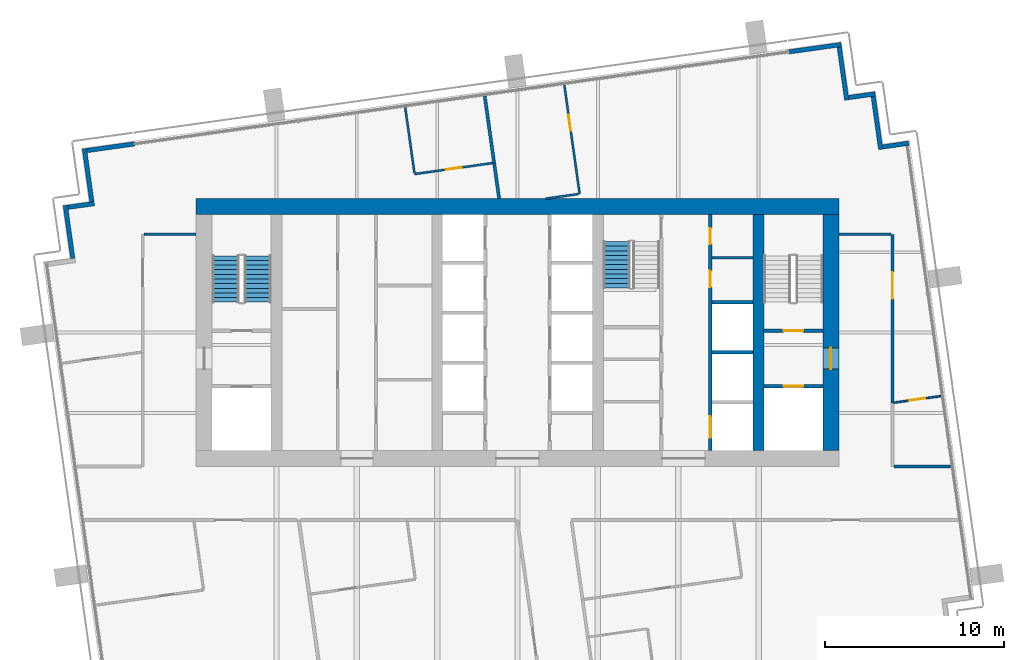
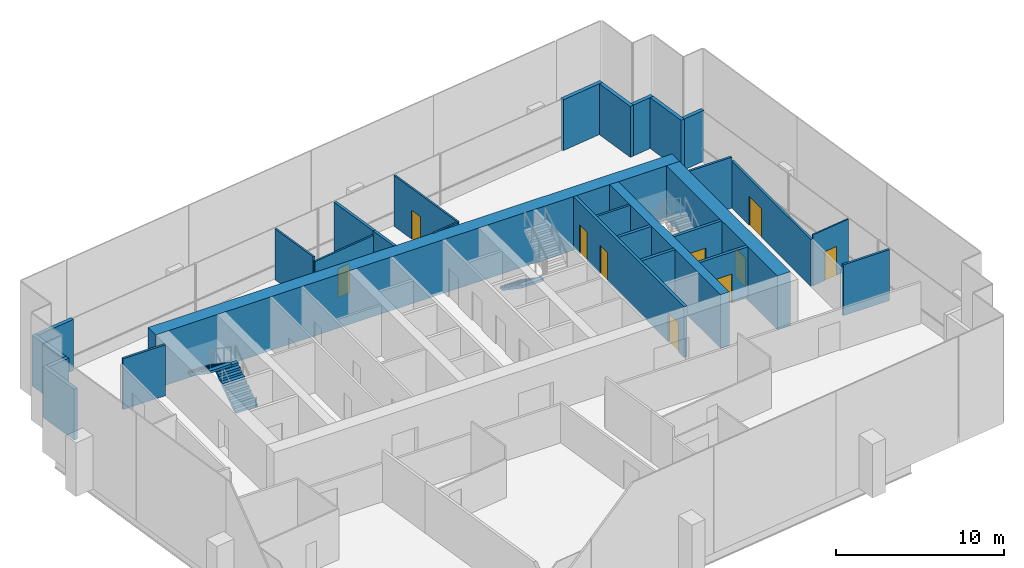
# One storey, part 10 of 15: 29 walls, 10 doors, 3 stair flights, 10 openings, 2 elements without a shape of their own.
"""IFC4 building model written with IfcOpenShell, lengths in metres."""

from ifc_helpers import new_model, si_unit, direction, frame, frame_2d, origin, place, context, subcontext, project, spatial, polyline, rectangle, outline, extrude, material, layer, layer_set, type_object, element, fill, aggregate, save


model = new_model("IFC4")

# Units and contexts
model_context = context("Model", 3, precision=1e-05, world=origin(), true_north=direction((0.0, 1.0)))
body_context = subcontext(model_context, "Body", "Model", "MODEL_VIEW")
ifc_project = project(units=[si_unit("LENGTHUNIT", "METRE"), si_unit("AREAUNIT", "SQUARE_METRE"), si_unit("VOLUMEUNIT", "CUBIC_METRE"), si_unit("PLANEANGLEUNIT", "RADIAN"), si_unit("MASSUNIT", "GRAM", prefix="KILO")], contexts=[model_context])

# Site, building, storey
site_placement = place(None, origin())
site = spatial("IfcSite", under=ifc_project, at=site_placement, CompositionType="ELEMENT")
building_placement = place(site_placement, origin())
building = spatial("IfcBuilding", under=site, at=building_placement, Name="Rattan Terrace Tower", CompositionType="ELEMENT")
storey_placement = place(building_placement, frame((0.0, 0.0, 278.5)))
storey = spatial("IfcBuildingStorey", under=building, at=storey_placement, Name="L64", CompositionType="ELEMENT", Elevation=278.5)

# Wall
ifc_material_1 = material(Name="Gypsum board partition")
ifc_layer_1 = layer(ifc_material_1, 0.14990234375)
ifc_layer_set_1 = layer_set([ifc_layer_1], Name="Core partition 150")
wall_type_1 = type_object("IfcWallType", Name="Core partition 150", PredefinedType="PARTITIONING", material=ifc_layer_set_1)
wall_1_placement = place(storey_placement, frame((10.89990234375, 4.199951171875, 0.0), z_axis=(0.0, 0.0, 1.0), x_axis=(1.0, 0.0, 0.0)))
element("IfcWall", 1, at=wall_1_placement, inside=storey, type_object=wall_type_1, Name="Riser room wall", PredefinedType="PARTITIONING", context=body_context, shape_type="SweptSolid", body=[
    extrude(rectangle(XDim=2.300048828125, YDim=0.14990234375, at=frame_2d((1.14990234375, 0.0))), origin(), (0.0, 0.0, 1.0), 3.699951171875),
])

# Wall, opening, door
ifc_material_2 = material(Name="Gypsum board partition")
ifc_layer_2 = layer(ifc_material_2, 0.199951171875)
ifc_layer_set_2 = layer_set([ifc_layer_2], Name="Core partition 200")
wall_type_2 = type_object("IfcWallType", Name="Core partition 200", PredefinedType="PARTITIONING", material=ifc_layer_set_2)
wall_2_placement = place(storey_placement, frame((13.800048828125, -3.0, 0.0), z_axis=(0.0, 0.0, 1.0), x_axis=(1.0, 0.0, 0.0)))
wall_2 = element("IfcWall", 2, at=wall_2_placement, inside=storey, type_object=wall_type_2, Name="Fire-fighting lobby wall", PredefinedType="PARTITIONING", context=body_context, shape_type="SweptSolid", body=[
    extrude(rectangle(XDim=3.300048828125, YDim=0.199951171875, at=frame_2d((1.64990234375, 0.0))), origin(), (0.0, 0.0, 1.0), 3.699951171875),
])
opening_1_placement = place(wall_2_placement, frame((1.10009765625, 0.0, 0.0)))
opening_1 = element("IfcOpeningElement", 3, at=opening_1_placement, cuts=wall_2, Name="Opening L64-LD-FF2", PredefinedType="OPENING", context=body_context, shape_type="SweptSolid", body=[
    extrude(rectangle(XDim=1.10009765625, YDim=2.10009765625, at=frame_2d((0.550048828125, 1.050048828125))), frame((0.0, 0.110595703125, 0.0), z_axis=(0.0, -1.0, 0.0), x_axis=(1.0, 0.0, 0.0)), (0.0, 0.0, 1.0), 0.220947265625),
])
ifc_material_3 = material(Name="Brushed stainless landing door panel")
door_type_1 = type_object("IfcDoorType", Name="Core lift landing door 1100", OperationType="DOUBLE_DOOR_SLIDING", PredefinedType="DOOR", material=ifc_material_3)
door_1_placement = place(opening_1_placement, origin())
door_1 = element("IfcDoor", 4, at=door_1_placement, inside=storey, type_object=door_type_1, Name="Door L64-LD-FF2", OperationType="DOUBLE_DOOR_SLIDING", OverallHeight=2.10009765625, OverallWidth=1.10009765625, PredefinedType="DOOR", context=body_context, shape_type="SweptSolid", body=[
    extrude(rectangle(XDim=1.10009765625, YDim=2.10009765625, at=frame_2d((0.550048828125, 1.050048828125))), frame((0.0, 0.02490234375, 0.0), z_axis=(0.0, -1.0, 0.0), x_axis=(1.0, 0.0, 0.0)), (0.0, 0.0, 1.0), 0.050048828125),
])
fill(opening_1, door_1)

wall_3_placement = place(storey_placement, frame((13.800048828125, 0.10009765625, 0.0), z_axis=(0.0, 0.0, 1.0), x_axis=(1.0, 0.0, 0.0)))
wall_3 = element("IfcWall", 5, at=wall_3_placement, inside=storey, type_object=wall_type_2, Name="Stair enclosure wall", PredefinedType="PARTITIONING", context=body_context, shape_type="SweptSolid", body=[
    extrude(rectangle(XDim=3.300048828125, YDim=0.199951171875, at=frame_2d((1.64990234375, 0.0))), origin(), (0.0, 0.0, 1.0), 3.699951171875),
])
opening_2_placement = place(wall_3_placement, frame((1.10009765625, 0.0, 0.0)))
opening_2 = element("IfcOpeningElement", 6, at=opening_2_placement, cuts=wall_3, Name="Opening L64-D004", PredefinedType="OPENING", context=body_context, shape_type="SweptSolid", body=[
    extrude(rectangle(XDim=1.10009765625, YDim=2.10009765625, at=frame_2d((0.550048828125, 1.050048828125))), frame((0.0, 0.110595703125, 0.0), z_axis=(0.0, -1.0, 0.0), x_axis=(1.0, 0.0, 0.0)), (0.0, 0.0, 1.0), 0.220947265625),
])
ifc_material_4 = material(Name="Hollow-metal fire door leaf")
door_type_2 = type_object("IfcDoorType", Name="Core stair door 1100", OperationType="NOTDEFINED", PredefinedType="DOOR", material=ifc_material_4)
door_2_placement = place(opening_2_placement, origin())
door_2 = element("IfcDoor", 7, at=door_2_placement, inside=storey, type_object=door_type_2, Name="Door L64-D004", OperationType="SINGLE_SWING_LEFT", OverallHeight=2.10009765625, OverallWidth=1.10009765625, PredefinedType="DOOR", context=body_context, shape_type="SweptSolid", body=[
    extrude(rectangle(XDim=1.10009765625, YDim=2.10009765625, at=frame_2d((0.550048828125, 1.050048828125))), frame((0.0, 0.02490234375, 0.0), z_axis=(0.0, -1.0, 0.0), x_axis=(1.0, 0.0, 0.0)), (0.0, 0.0, 1.0), 0.050048828125),
])
fill(opening_2, door_2)

# Wall
ifc_material_5 = material(Name="Concrete C50/60", Category="concrete")
ifc_layer_3 = layer(ifc_material_5, 0.89990234375)
ifc_layer_set_3 = layer_set([ifc_layer_3], Name="Core ring wall 900 C50/60")
wall_type_3 = type_object("IfcWallType", Name="Core ring wall 900 C50/60", PredefinedType="SHEAR", material=ifc_layer_set_3)
wall_4_placement = place(storey_placement, frame((-18.0, 7.050048828125, -0.199951171875), z_axis=(0.0, 0.0, 1.0), x_axis=(1.0, 0.0, 0.0)))
element("IfcWall", 8, at=wall_4_placement, inside=storey, type_object=wall_type_3, Name="Rear core wall north", PredefinedType="SHEAR", context=body_context, shape_type="SweptSolid", body=[
    extrude(rectangle(XDim=36.0, YDim=0.89990234375, at=frame_2d((18.0, 0.0))), origin(), (0.0, 0.0, 1.0), 3.89990234375),
])

# Wall, opening, door
wall_5_placement = place(storey_placement, frame((17.550048828125, -6.60009765625, -0.199951171875), z_axis=(0.0, 0.0, 1.0), x_axis=(0.0, 1.0, 0.0)))
wall_5 = element("IfcWall", 9, at=wall_5_placement, inside=storey, type_object=wall_type_3, Name="Rear core wall east", PredefinedType="SHEAR", context=body_context, shape_type="SweptSolid", body=[
    extrude(rectangle(XDim=13.2001953125, YDim=0.89990234375, at=frame_2d((6.60009765625, 0.0))), origin(), (0.0, 0.0, 1.0), 3.89990234375),
])
opening_3_placement = place(wall_5_placement, frame((4.550048828125, 0.0, 0.199951171875)))
opening_3 = element("IfcOpeningElement", 10, at=opening_3_placement, cuts=wall_5, Name="Opening L64-D003", PredefinedType="OPENING", context=body_context, shape_type="SweptSolid", body=[
    extrude(rectangle(XDim=1.199951171875, YDim=2.10009765625, at=frame_2d((0.60009765625, 1.050048828125))), frame((0.0, 0.46044921875, 0.0), z_axis=(0.0, -1.0, 0.0), x_axis=(1.0, 0.0, 0.0)), (0.0, 0.0, 1.0), 0.9208984375),
])
ifc_material_6 = material(Name="Hollow-metal fire door leaf")
door_type_3 = type_object("IfcDoorType", Name="Core fire-fighting lobby door 1200", OperationType="NOTDEFINED", PredefinedType="DOOR", material=ifc_material_6)
door_3_placement = place(opening_3_placement, origin())
door_3 = element("IfcDoor", 11, at=door_3_placement, inside=storey, type_object=door_type_3, Name="Door L64-D003", OperationType="SINGLE_SWING_RIGHT", OverallHeight=2.10009765625, OverallWidth=1.199951171875, PredefinedType="DOOR", context=body_context, shape_type="SweptSolid", body=[
    extrude(rectangle(XDim=1.199951171875, YDim=2.10009765625, at=frame_2d((0.60009765625, 1.050048828125))), frame((0.0, 0.02490234375, 0.0), z_axis=(0.0, -1.0, 0.0), x_axis=(1.0, 0.0, 0.0)), (0.0, 0.0, 1.0), 0.050048828125),
])
fill(opening_3, door_3)

# Walls
ifc_material_7 = material(Name="Concrete C50/60", Category="concrete")
ifc_layer_4 = layer(ifc_material_7, 0.60009765625)
ifc_layer_set_4 = layer_set([ifc_layer_4], Name="Core spine wall 600 C50/60")
wall_type_4 = type_object("IfcWallType", Name="Core spine wall 600 C50/60", PredefinedType="SHEAR", material=ifc_layer_set_4)
wall_6_placement = place(storey_placement, frame((13.5, -6.60009765625, -0.199951171875), z_axis=(0.0, 0.0, 1.0), x_axis=(0.0, 1.0, 0.0)))
element("IfcWall", 12, at=wall_6_placement, inside=storey, type_object=wall_type_4, Name="Core spine wall 4", PredefinedType="SHEAR", context=body_context, shape_type="SweptSolid", body=[
    extrude(rectangle(XDim=13.2001953125, YDim=0.60009765625, at=frame_2d((6.60009765625, 0.0))), origin(), (0.0, 0.0, 1.0), 3.89990234375),
])
ifc_material_8 = material(Name="Insulated aluminium-clad stud wall", Category="aluminium")
ifc_layer_5 = layer(ifc_material_8, 0.25)
ifc_layer_set_5 = layer_set([ifc_layer_5], Name="Facade Riser Wall 250")
wall_type_5 = type_object("IfcWallType", Name="Facade Riser Wall 250", PredefinedType="SOLIDWALL", material=ifc_layer_set_5)
wall_7_placement = place(storey_placement, frame((21.90625, 10.60498046875, 0.0), z_axis=(0.0, 0.0, 1.0), x_axis=(-0.990235520307, -0.13940449893, 0.0)))
element("IfcWall", 13, at=wall_7_placement, inside=storey, type_object=wall_type_5, Name="Riser wall L64-6", PredefinedType="SOLIDWALL", context=body_context, shape_type="SweptSolid", body=[
    extrude(rectangle(XDim=1.474609375, YDim=0.25, at=frame_2d((0.7373046875, 0.0))), origin(), (0.0, 0.0, 1.0), 3.699951171875),
])
wall_8_placement = place(storey_placement, frame((20.33984375, 10.25830078125, 0.0), z_axis=(0.0, 0.0, 1.0), x_axis=(-0.139393225799, 0.990237107263, 0.0)))
element("IfcWall", 14, at=wall_8_placement, inside=storey, type_object=wall_type_5, Name="Riser wall L64-7", PredefinedType="SOLIDWALL", context=body_context, shape_type="SweptSolid", body=[
    extrude(rectangle(XDim=3.000244140625, YDim=0.25, at=frame_2d((1.5, 0.0))), origin(), (0.0, 0.0, 1.0), 3.699951171875),
])
wall_9_placement = place(storey_placement, frame((20.028076171875, 13.370361328125, 0.0), z_axis=(0.0, 0.0, 1.0), x_axis=(-0.990330117064, -0.138730887823, 0.0)))
element("IfcWall", 15, at=wall_9_placement, inside=storey, type_object=wall_type_5, Name="Riser wall L64-8", PredefinedType="SOLIDWALL", context=body_context, shape_type="SweptSolid", body=[
    extrude(rectangle(XDim=1.499267578125, YDim=0.25, at=frame_2d((0.74951171875, 0.0))), origin(), (0.0, 0.0, 1.0), 3.699951171875),
])
wall_10_placement = place(storey_placement, frame((18.436767578125, 13.021240234375, 0.0), z_axis=(0.0, 0.0, 1.0), x_axis=(-0.139358350296, 0.990242015975, 0.0)))
element("IfcWall", 16, at=wall_10_placement, inside=storey, type_object=wall_type_5, Name="Riser wall L64-9", PredefinedType="SOLIDWALL", context=body_context, shape_type="SweptSolid", body=[
    extrude(rectangle(XDim=2.999267578125, YDim=0.25, at=frame_2d((1.49951171875, 0.0))), origin(), (0.0, 0.0, 1.0), 3.699951171875),
])
wall_11_placement = place(storey_placement, frame((18.125244140625, 16.13232421875, 0.0), z_axis=(0.0, 0.0, 1.0), x_axis=(-0.990291981483, -0.139002846771, 0.0)))
element("IfcWall", 17, at=wall_11_placement, inside=storey, type_object=wall_type_5, Name="Riser wall L64-10", PredefinedType="SOLIDWALL", context=body_context, shape_type="SweptSolid", body=[
    extrude(rectangle(XDim=2.9541015625, YDim=0.25, at=frame_2d((1.47705078125, 0.0))), origin(), (0.0, 0.0, 1.0), 3.699951171875),
])
wall_12_placement = place(storey_placement, frame((-21.4404296875, 10.571533203125, 0.0), z_axis=(0.0, 0.0, 1.0), x_axis=(-0.990293105353, -0.138994839796, 0.0)))
element("IfcWall", 18, at=wall_12_placement, inside=storey, type_object=wall_type_5, Name="Riser wall L64-11", PredefinedType="SOLIDWALL", context=body_context, shape_type="SweptSolid", body=[
    extrude(rectangle(XDim=2.705078125, YDim=0.25, at=frame_2d((1.3525390625, 0.0))), origin(), (0.0, 0.0, 1.0), 3.699951171875),
])
wall_13_placement = place(storey_placement, frame((-24.260498046875, 10.302001953125, 0.0), z_axis=(0.0, 0.0, 1.0), x_axis=(0.138994228812, -0.990293191109, 0.0)))
element("IfcWall", 19, at=wall_13_placement, inside=storey, type_object=wall_type_5, Name="Riser wall L64-12", PredefinedType="SOLIDWALL", context=body_context, shape_type="SweptSolid", body=[
    extrude(rectangle(XDim=3.0, YDim=0.25, at=frame_2d((1.5, 0.0))), origin(), (0.0, 0.0, 1.0), 3.699951171875),
])
wall_14_placement = place(storey_placement, frame((-23.7021484375, 7.224853515625, 0.0), z_axis=(0.0, 0.0, 1.0), x_axis=(-0.990243596651, -0.13934711799, 0.0)))
element("IfcWall", 20, at=wall_14_placement, inside=storey, type_object=wall_type_5, Name="Riser wall L64-13", PredefinedType="SOLIDWALL", context=body_context, shape_type="SweptSolid", body=[
    extrude(rectangle(XDim=1.499755859375, YDim=0.25, at=frame_2d((0.75, 0.0))), origin(), (0.0, 0.0, 1.0), 3.699951171875),
])
wall_15_placement = place(storey_placement, frame((-25.328369140625, 7.1220703125, 0.0), z_axis=(0.0, 0.0, 1.0), x_axis=(0.139358350296, -0.990242015975, 0.0)))
element("IfcWall", 21, at=wall_15_placement, inside=storey, type_object=wall_type_5, Name="Riser wall L64-14", PredefinedType="SOLIDWALL", context=body_context, shape_type="SweptSolid", body=[
    extrude(rectangle(XDim=2.999267578125, YDim=0.25, at=frame_2d((1.49951171875, 0.0))), origin(), (0.0, 0.0, 1.0), 3.699951171875),
])
ifc_material_9 = material(Name="Double steel stud acoustic partition, gypsum board, mineral wool, fire rated", Category="steel")
ifc_layer_6 = layer(ifc_material_9, 0.179931640625)
ifc_layer_set_6 = layer_set([ifc_layer_6], Name="Floors Acoustic Party Wall 180")
wall_type_6 = type_object("IfcWallType", Name="Floors Acoustic Party Wall 180", PredefinedType="PARTITIONING", material=ifc_layer_set_6)
wall_16_placement = place(storey_placement, frame((-1.31201171875, 9.506103515625, 0.0), z_axis=(0.0, 0.0, 1.0), x_axis=(0.139193896019, -0.990265145964, 0.0)))
element("IfcWall", 22, at=wall_16_placement, inside=storey, type_object=wall_type_6, Name="pt-L64-032", PredefinedType="PARTITIONING", context=body_context, shape_type="SweptSolid", body=[
    extrude(rectangle(XDim=2.02587890625, YDim=0.179931640625, at=frame_2d((1.012939453125, 0.0))), origin(), (0.0, 0.0, 1.0), 3.699951171875),
])
wall_17_placement = place(storey_placement, frame((-1.8359375, 13.237060546875, 0.0), z_axis=(0.0, 0.0, 1.0), x_axis=(0.139062210866, -0.990283646997, 0.0)))
element("IfcWall", 23, at=wall_17_placement, inside=storey, type_object=wall_type_6, Name="pt-L64-033", PredefinedType="PARTITIONING", context=body_context, shape_type="SweptSolid", body=[
    extrude(rectangle(XDim=3.767578125, YDim=0.179931640625, at=frame_2d((1.8837890625, 0.0))), origin(), (0.0, 0.0, 1.0), 3.699951171875),
])

# Wall, opening, door
ifc_material_10 = material(Name="Gypsum board partition on steel studs", Category="steel")
ifc_layer_7 = layer(ifc_material_10, 0.10009765625)
ifc_layer_set_7 = layer_set([ifc_layer_7], Name="Floors Partition 100")
wall_type_7 = type_object("IfcWallType", Name="Floors Partition 100", PredefinedType="PARTITIONING", material=ifc_layer_set_7)
wall_18_placement = place(storey_placement, frame((23.705078125, -3.556884765625, 0.0), z_axis=(0.0, 0.0, 1.0), x_axis=(-0.990242548456, -0.139354566582, 0.0)))
wall_18 = element("IfcWall", 24, at=wall_18_placement, inside=storey, type_object=wall_type_7, Name="pt-L64-034", PredefinedType="PARTITIONING", context=body_context, shape_type="SweptSolid", body=[
    extrude(rectangle(XDim=2.662841796875, YDim=0.10009765625, at=frame_2d((1.33154296875, 0.0))), origin(), (0.0, 0.0, 1.0), 3.699951171875),
])
opening_4_placement = place(wall_18_placement, frame((0.882080078125, 0.0, 0.0)))
opening_4 = element("IfcOpeningElement", 25, at=opening_4_placement, cuts=wall_18, Name="Opening L64-D111", PredefinedType="OPENING", context=body_context, shape_type="SweptSolid", body=[
    extrude(rectangle(XDim=0.89990234375, YDim=2.10009765625, at=frame_2d((0.449951171875, 1.050048828125))), frame((0.0, 0.060546875, 0.0), z_axis=(0.0, -1.0, 0.0), x_axis=(1.0, 0.0, 0.0)), (0.0, 0.0, 1.0), 0.12109375),
])
ifc_material_11 = material(Name="Solid core timber door, painted", Category="wood")
door_type_4 = type_object("IfcDoorType", Name="Floors Door 900x2100", OperationType="NOTDEFINED", PredefinedType="DOOR", material=ifc_material_11)
door_4_placement = place(opening_4_placement, origin())
door_4 = element("IfcDoor", 26, at=door_4_placement, inside=storey, type_object=door_type_4, Name="d-L64-111", OperationType="SINGLE_SWING_RIGHT", OverallHeight=2.10009765625, OverallWidth=0.89990234375, PredefinedType="DOOR", context=body_context, shape_type="SweptSolid", body=[
    extrude(rectangle(XDim=0.89990234375, YDim=2.10009765625, at=frame_2d((0.449951171875, 1.050048828125))), frame((0.0, 0.02490234375, 0.0), z_axis=(0.0, -1.0, 0.0), x_axis=(1.0, 0.0, 0.0)), (0.0, 0.0, 1.0), 0.050048828125),
])
fill(opening_4, door_4)

# Walls
ifc_material_12 = material(Name="Gypsum board partition on steel studs, fire rated", Category="steel")
ifc_layer_8 = layer(ifc_material_12, 0.14990234375)
ifc_layer_set_8 = layer_set([ifc_layer_8], Name="Floors Tenancy Wall 150")
wall_type_8 = type_object("IfcWallType", Name="Floors Tenancy Wall 150", PredefinedType="PARTITIONING", material=ifc_layer_set_8)
for number, where, z_axis, x_axis, name in (
    (27, (-20.925048828125, 5.5, 0.0), (0.0, 0.0, 1.0), (1.0, 0.0, 0.0), "pt-L64-012"),
    (28, (18.0, 5.5, 0.0), (0.0, 0.0, 1.0), (1.0, 0.0, 0.0), "pt-L64-015"),
):
    element("IfcWall", number, at=place(storey_placement, frame(where, z_axis=z_axis, x_axis=x_axis)), inside=storey, type_object=wall_type_8, Name=name, PredefinedType="PARTITIONING", context=body_context, shape_type="SweptSolid", body=[
        extrude(rectangle(XDim=2.925048828125, YDim=0.14990234375, at=frame_2d((1.46240234375, 0.0))), origin(), (0.0, 0.0, 1.0), 3.699951171875),
    ])

# Wall, opening, door
wall_19_placement = place(storey_placement, frame((21.0, 5.5, 0.0), z_axis=(0.0, 0.0, 1.0), x_axis=(0.0, -1.0, 0.0)))
wall_19 = element("IfcWall", 29, at=wall_19_placement, inside=storey, type_object=wall_type_8, Name="pt-L64-016", PredefinedType="PARTITIONING", context=body_context, shape_type="SweptSolid", body=[
    extrude(rectangle(XDim=9.4580078125, YDim=0.14990234375, at=frame_2d((4.72900390625, 0.0))), origin(), (0.0, 0.0, 1.0), 3.39990234375),
])
opening_5_placement = place(wall_19_placement, frame((2.114990234375, 0.0, 0.0)))
opening_5 = element("IfcOpeningElement", 30, at=opening_5_placement, cuts=wall_19, Name="Opening L64-D110", PredefinedType="OPENING", context=body_context, shape_type="SweptSolid", body=[
    extrude(rectangle(XDim=1.5, YDim=2.10009765625, at=frame_2d((0.75, 1.050048828125))), frame((0.0, 0.08544921875, 0.0), z_axis=(0.0, -1.0, 0.0), x_axis=(1.0, 0.0, 0.0)), (0.0, 0.0, 1.0), 0.1708984375),
])
ifc_material_13 = material(Name="Steel fire door set", Category="steel")
door_type_5 = type_object("IfcDoorType", Name="Floors Unit Door Pair FD30S 1500x2100", OperationType="NOTDEFINED", PredefinedType="DOOR", material=ifc_material_13)
door_5_placement = place(opening_5_placement, origin())
door_5 = element("IfcDoor", 31, at=door_5_placement, inside=storey, type_object=door_type_5, Name="d-L64-110", OperationType="DOUBLE_DOOR_SINGLE_SWING", OverallHeight=2.10009765625, OverallWidth=1.5, PredefinedType="DOOR", context=body_context, shape_type="SweptSolid", body=[
    extrude(rectangle(XDim=1.5, YDim=2.10009765625, at=frame_2d((0.75, 1.050048828125))), frame((0.0, 0.02490234375, 0.0), z_axis=(0.0, -1.0, 0.0), x_axis=(1.0, 0.0, 0.0)), (0.0, 0.0, 1.0), 0.050048828125),
])
fill(opening_5, door_5)

# Walls
wall_20_placement = place(storey_placement, frame((21.074951171875, -7.5, 0.0), z_axis=(0.0, 0.0, 1.0), x_axis=(1.0, 0.0, 0.0)))
element("IfcWall", 32, at=wall_20_placement, inside=storey, type_object=wall_type_8, Name="pt-L64-018", PredefinedType="PARTITIONING", context=body_context, shape_type="SweptSolid", body=[
    extrude(rectangle(XDim=3.18408203125, YDim=0.14990234375, at=frame_2d((1.592041015625, 0.0))), origin(), (0.0, 0.0, 1.0), 3.699951171875),
])
ifc_material_14 = material(Name="Moisture resistant gypsum board partition on steel studs with service cavity", Category="steel")
ifc_layer_9 = layer(ifc_material_14, 0.1201171875)
ifc_layer_set_9 = layer_set([ifc_layer_9], Name="Floors Wet Wall 120")
wall_type_9 = type_object("IfcWallType", Name="Floors Wet Wall 120", PredefinedType="PARTITIONING", material=ifc_layer_set_9)
wall_21_placement = place(storey_placement, frame((-6.2919921875, 12.610107421875, 0.0), z_axis=(0.0, 0.0, 1.0), x_axis=(0.13918119099, -0.990266931728, 0.0)))
element("IfcWall", 33, at=wall_21_placement, inside=storey, type_object=wall_type_9, Name="pt-L64-030", PredefinedType="PARTITIONING", context=body_context, shape_type="SweptSolid", body=[
    extrude(rectangle(XDim=3.708251953125, YDim=0.1201171875, at=frame_2d((1.85400390625, 0.0))), origin(), (0.0, 0.0, 1.0), 3.699951171875),
])

# Wall, opening, door
wall_22_placement = place(storey_placement, frame((-5.76806640625, 8.87890625, 0.0), z_axis=(0.0, 0.0, 1.0), x_axis=(0.990229842837, 0.139444821898, 0.0)))
wall_22 = element("IfcWall", 34, at=wall_22_placement, inside=storey, type_object=wall_type_9, Name="pt-L64-031", PredefinedType="PARTITIONING", context=body_context, shape_type="SweptSolid", body=[
    extrude(rectangle(XDim=4.41015625, YDim=0.1201171875, at=frame_2d((2.205078125, 0.0))), origin(), (0.0, 0.0, 1.0), 3.39990234375),
])
opening_6_placement = place(wall_22_placement, frame((1.7548828125, 0.0, 0.0)))
opening_6 = element("IfcOpeningElement", 35, at=opening_6_placement, cuts=wall_22, Name="Opening L64-D109", PredefinedType="OPENING", context=body_context, shape_type="SweptSolid", body=[
    extrude(rectangle(XDim=0.89990234375, YDim=2.10009765625, at=frame_2d((0.449951171875, 1.050048828125))), frame((0.0, 0.070556640625, 0.0), z_axis=(0.0, -1.0, 0.0), x_axis=(1.0, 0.0, 0.0)), (0.0, 0.0, 1.0), 0.14111328125),
])
door_6_placement = place(opening_6_placement, origin())
door_6 = element("IfcDoor", 36, at=door_6_placement, inside=storey, type_object=door_type_4, Name="d-L64-109", OperationType="SINGLE_SWING_RIGHT", OverallHeight=2.10009765625, OverallWidth=0.89990234375, PredefinedType="DOOR", context=body_context, shape_type="SweptSolid", body=[
    extrude(rectangle(XDim=0.89990234375, YDim=2.10009765625, at=frame_2d((0.449951171875, 1.050048828125))), frame((0.0, 0.02490234375, 0.0), z_axis=(0.0, -1.0, 0.0), x_axis=(1.0, 0.0, 0.0)), (0.0, 0.0, 1.0), 0.050048828125),
])
fill(opening_6, door_6)

# Wall
wall_23_placement = place(storey_placement, frame((1.575927734375, 7.501953125, 0.0), z_axis=(0.0, 0.0, 1.0), x_axis=(0.990319013032, 0.138810130855, 0.0)))
element("IfcWall", 37, at=wall_23_placement, inside=storey, type_object=wall_type_9, Name="pt-L64-035", PredefinedType="PARTITIONING", context=body_context, shape_type="SweptSolid", body=[
    extrude(rectangle(XDim=1.859130859375, YDim=0.1201171875, at=frame_2d((0.9296875, 0.0))), origin(), (0.0, 0.0, 1.0), 3.699951171875),
])

# Wall, opening, door
wall_24_placement = place(storey_placement, frame((3.47705078125, 7.76708984375, 0.0), z_axis=(0.0, 0.0, 1.0), x_axis=(-0.13920561026, 0.990263499313, 0.0)))
wall_24 = element("IfcWall", 38, at=wall_24_placement, inside=storey, type_object=wall_type_9, Name="pt-L64-036", PredefinedType="PARTITIONING", context=body_context, shape_type="SweptSolid", body=[
    extrude(rectangle(XDim=6.156005859375, YDim=0.1201171875, at=frame_2d((3.078125, 0.0))), origin(), (0.0, 0.0, 1.0), 3.699951171875),
])
opening_7_placement = place(wall_24_placement, frame((3.5791015625, 0.0, 0.0)))
opening_7 = element("IfcOpeningElement", 39, at=opening_7_placement, cuts=wall_24, Name="Opening L64-D112", PredefinedType="OPENING", context=body_context, shape_type="SweptSolid", body=[
    extrude(rectangle(XDim=0.89990234375, YDim=2.10009765625, at=frame_2d((0.449951171875, 1.050048828125))), frame((0.0, 0.070556640625, 0.0), z_axis=(0.0, -1.0, 0.0), x_axis=(1.0, 0.0, 0.0)), (0.0, 0.0, 1.0), 0.14111328125),
])
door_7_placement = place(opening_7_placement, origin())
door_7 = element("IfcDoor", 40, at=door_7_placement, inside=storey, type_object=door_type_4, Name="d-L64-112", OperationType="SINGLE_SWING_RIGHT", OverallHeight=2.10009765625, OverallWidth=0.89990234375, PredefinedType="DOOR", context=body_context, shape_type="SweptSolid", body=[
    extrude(rectangle(XDim=0.89990234375, YDim=2.10009765625, at=frame_2d((0.449951171875, 1.050048828125))), frame((0.0, 0.02490234375, 0.0), z_axis=(0.0, -1.0, 0.0), x_axis=(1.0, 0.0, 0.0)), (0.0, 0.0, 1.0), 0.050048828125),
])
fill(opening_7, door_7)

# Wall, openings, doors
ifc_material_15 = material(Name="Gypsum shaft wall system")
ifc_layer_10 = layer(ifc_material_15, 0.199951171875)
ifc_layer_set_10 = layer_set([ifc_layer_10], Name="Lift shaft wall 200")
wall_type_10 = type_object("IfcWallType", Name="Lift shaft wall 200", PredefinedType="PARTITIONING", material=ifc_layer_set_10)
wall_25_placement = place(storey_placement, frame((10.800048828125, -6.60009765625, 0.0), z_axis=(0.0, 0.0, 1.0), x_axis=(0.0, 1.0, 0.0)))
wall_25 = element("IfcWall", 41, at=wall_25_placement, inside=storey, type_object=wall_type_10, Name="Lift shaft front wall", PredefinedType="PARTITIONING", context=body_context, shape_type="SweptSolid", body=[
    extrude(rectangle(XDim=13.2001953125, YDim=0.199951171875, at=frame_2d((6.60009765625, 0.0))), origin(), (0.0, 0.0, 1.0), 3.699951171875),
])
opening_8_placement = place(wall_25_placement, frame((0.699951171875, 0.0, 0.0)))
opening_8 = element("IfcOpeningElement", 42, at=opening_8_placement, cuts=wall_25, Name="Opening L64-LD-SV1", PredefinedType="OPENING", context=body_context, shape_type="SweptSolid", body=[
    extrude(rectangle(XDim=1.199951171875, YDim=2.10009765625, at=frame_2d((0.60009765625, 1.050048828125))), frame((0.0, 0.110595703125, 0.0), z_axis=(0.0, -1.0, 0.0), x_axis=(1.0, 0.0, 0.0)), (0.0, 0.0, 1.0), 0.220947265625),
])
opening_9_placement = place(wall_25_placement, frame((9.14990234375, 0.0, 0.0)))
opening_9 = element("IfcOpeningElement", 43, at=opening_9_placement, cuts=wall_25, Name="Opening L64-D019", PredefinedType="OPENING", context=body_context, shape_type="SweptSolid", body=[
    extrude(rectangle(XDim=0.89990234375, YDim=2.10009765625, at=frame_2d((0.449951171875, 1.050048828125))), frame((0.0, 0.110595703125, 0.0), z_axis=(0.0, -1.0, 0.0), x_axis=(1.0, 0.0, 0.0)), (0.0, 0.0, 1.0), 0.220947265625),
])
opening_10_placement = place(wall_25_placement, frame((11.550048828125, 0.0, 0.0)))
opening_10 = element("IfcOpeningElement", 44, at=opening_10_placement, cuts=wall_25, Name="Opening L64-D020", PredefinedType="OPENING", context=body_context, shape_type="SweptSolid", body=[
    extrude(rectangle(XDim=0.89990234375, YDim=2.10009765625, at=frame_2d((0.449951171875, 1.050048828125))), frame((0.0, 0.110595703125, 0.0), z_axis=(0.0, -1.0, 0.0), x_axis=(1.0, 0.0, 0.0)), (0.0, 0.0, 1.0), 0.220947265625),
])
ifc_material_16 = material(Name="Brushed stainless landing door panel")
door_type_6 = type_object("IfcDoorType", Name="Core lift landing door 1200", OperationType="DOUBLE_DOOR_SLIDING", PredefinedType="DOOR", material=ifc_material_16)
door_8_placement = place(opening_8_placement, origin())
door_8 = element("IfcDoor", 45, at=door_8_placement, inside=storey, type_object=door_type_6, Name="Door L64-LD-SV1", OperationType="DOUBLE_DOOR_SLIDING", OverallHeight=2.10009765625, OverallWidth=1.199951171875, PredefinedType="DOOR", context=body_context, shape_type="SweptSolid", body=[
    extrude(rectangle(XDim=1.199951171875, YDim=2.10009765625, at=frame_2d((0.60009765625, 1.050048828125))), frame((0.0, 0.02490234375, 0.0), z_axis=(0.0, -1.0, 0.0), x_axis=(1.0, 0.0, 0.0)), (0.0, 0.0, 1.0), 0.050048828125),
])
fill(opening_8, door_8)
ifc_material_17 = material(Name="Hollow-metal fire door leaf")
door_type_7 = type_object("IfcDoorType", Name="Core riser door 900", OperationType="NOTDEFINED", PredefinedType="DOOR", material=ifc_material_17)
door_9_placement = place(opening_9_placement, origin())
door_9 = element("IfcDoor", 46, at=door_9_placement, inside=storey, type_object=door_type_7, Name="Door L64-D019", OperationType="SINGLE_SWING_RIGHT", OverallHeight=2.10009765625, OverallWidth=0.89990234375, PredefinedType="DOOR", context=body_context, shape_type="SweptSolid", body=[
    extrude(rectangle(XDim=0.89990234375, YDim=2.10009765625, at=frame_2d((0.449951171875, 1.050048828125))), frame((0.0, 0.02490234375, 0.0), z_axis=(0.0, -1.0, 0.0), x_axis=(1.0, 0.0, 0.0)), (0.0, 0.0, 1.0), 0.050048828125),
])
fill(opening_9, door_9)
door_10_placement = place(opening_10_placement, origin())
door_10 = element("IfcDoor", 47, at=door_10_placement, inside=storey, type_object=door_type_7, Name="Door L64-D020", OperationType="SINGLE_SWING_LEFT", OverallHeight=2.10009765625, OverallWidth=0.89990234375, PredefinedType="DOOR", context=body_context, shape_type="SweptSolid", body=[
    extrude(rectangle(XDim=0.89990234375, YDim=2.10009765625, at=frame_2d((0.449951171875, 1.050048828125))), frame((0.0, 0.02490234375, 0.0), z_axis=(0.0, -1.0, 0.0), x_axis=(1.0, 0.0, 0.0)), (0.0, 0.0, 1.0), 0.050048828125),
])
fill(opening_10, door_10)

# Walls
for number, where, z_axis, x_axis, name in (
    (48, (10.89990234375, -1.10009765625, 0.0), (0.0, 0.0, 1.0), (1.0, 0.0, 0.0), "Lift shaft wall"),
    (49, (10.89990234375, 1.699951171875, 0.0), (0.0, 0.0, 1.0), (1.0, 0.0, 0.0), "Lift shaft wall"),
):
    element("IfcWall", number, at=place(storey_placement, frame(where, z_axis=z_axis, x_axis=x_axis)), inside=storey, type_object=wall_type_10, Name=name, PredefinedType="PARTITIONING", context=body_context, shape_type="SweptSolid", body=[
        extrude(rectangle(XDim=2.300048828125, YDim=0.199951171875, at=frame_2d((1.14990234375, 0.0))), origin(), (0.0, 0.0, 1.0), 3.699951171875),
    ])

# Stair, stair flights
ifc_material_18 = material(Name="Concrete C40/50", Category="concrete")
stair_type = type_object("IfcStairType", Name="Core exit stair 1500", PredefinedType="HALF_TURN_STAIR", material=ifc_material_18)
stair_1_placement = place(storey_placement, origin())
stair_1 = element("IfcStair", 50, at=stair_1_placement, inside=storey, type_object=stair_type, Name="L64 exit stair 1", PredefinedType="HALF_TURN_STAIR")
ifc_material_19 = material(Name="Concrete C40/50", Category="concrete")
stair_flight_type = type_object("IfcStairFlightType", Name="Core exit stair flight 1500", PredefinedType="STRAIGHT", material=ifc_material_19)
stair_flight_1_placement = place(storey_placement, frame((-14.550048828125, 1.699951171875, 0.0), z_axis=(0.0, 0.0, 1.0), x_axis=(0.0, 1.0, 0.0)))
stair_flight_1 = element("IfcStairFlight", 51, at=stair_flight_1_placement, type_object=stair_flight_type, Name="S1 flight 1", NumberOfRisers=11, NumberOfTreads=10, PredefinedType="STRAIGHT", RiserHeight=0.177272727, TreadLength=0.26, context=body_context, shape_type="SweptSolid", body=[
    extrude(outline(polyline([(0.0, 0.0), (0.0, 0.17724609375), (0.260009765625, 0.17724609375), (0.260009765625, 0.3544921875), (0.52001953125, 0.3544921875), (0.52001953125, 0.53173828125), (0.780029296875, 0.53173828125), (0.780029296875, 0.708984375), (1.0400390625, 0.708984375), (1.0400390625, 0.886474609375), (1.300048828125, 0.886474609375), (1.300048828125, 1.063720703125), (1.56005859375, 1.063720703125), (1.56005859375, 1.240966796875), (1.820068359375, 1.240966796875), (1.820068359375, 1.418212890625), (2.080078125, 1.418212890625), (2.080078125, 1.595458984375), (2.340087890625, 1.595458984375), (2.340087890625, 1.772705078125), (2.60009765625, 1.772705078125), (2.60009765625, 1.949951171875), (2.60009765625, 1.59130859375), (0.26611328125, 0.0), (0.0, 0.0)])), frame((0.0, 0.75, 0.0), z_axis=(0.0, -1.0, 0.0), x_axis=(1.0, 0.0, 0.0)), (0.0, 0.0, 1.0), 1.5),
])
stair_flight_2_placement = place(storey_placement, frame((-16.35009765625, 4.300048828125, 1.949951171875), z_axis=(0.0, 0.0, 1.0), x_axis=(0.0, -1.0, 0.0)))
stair_flight_2 = element("IfcStairFlight", 52, at=stair_flight_2_placement, type_object=stair_flight_type, Name="S1 flight 2", NumberOfRisers=11, NumberOfTreads=10, PredefinedType="STRAIGHT", RiserHeight=0.177272727, TreadLength=0.26, context=body_context, shape_type="SweptSolid", body=[
    extrude(outline(polyline([(0.0, 0.0), (0.0, 0.17724609375), (0.260009765625, 0.17724609375), (0.260009765625, 0.3544921875), (0.52001953125, 0.3544921875), (0.52001953125, 0.53173828125), (0.780029296875, 0.53173828125), (0.780029296875, 0.708984375), (1.0400390625, 0.708984375), (1.0400390625, 0.886474609375), (1.300048828125, 0.886474609375), (1.300048828125, 1.063720703125), (1.56005859375, 1.063720703125), (1.56005859375, 1.240966796875), (1.820068359375, 1.240966796875), (1.820068359375, 1.418212890625), (2.080078125, 1.418212890625), (2.080078125, 1.595458984375), (2.340087890625, 1.595458984375), (2.340087890625, 1.772705078125), (2.60009765625, 1.772705078125), (2.60009765625, 1.949951171875), (2.60009765625, 1.59130859375), (0.26611328125, 0.0), (0.0, 0.0)])), frame((0.0, 0.75, 0.0), z_axis=(0.0, -1.0, 0.0), x_axis=(1.0, 0.0, 0.0)), (0.0, 0.0, 1.0), 1.5),
])
aggregate(stair_1, [stair_flight_1, stair_flight_2])

# Stair, stair flight
stair_2_placement = place(storey_placement, origin())
stair_2 = element("IfcStair", 53, at=stair_2_placement, inside=storey, type_object=stair_type, Name="L64 exit stair 3", PredefinedType="HALF_TURN_STAIR")
stair_flight_3_placement = place(storey_placement, frame((5.550048828125, 5.10009765625, 0.0), z_axis=(0.0, 0.0, 1.0), x_axis=(0.0, -1.0, 0.0)))
stair_flight_3 = element("IfcStairFlight", 54, at=stair_flight_3_placement, type_object=stair_flight_type, Name="S3 flight 1", NumberOfRisers=11, NumberOfTreads=10, PredefinedType="STRAIGHT", RiserHeight=0.177272727, TreadLength=0.26, context=body_context, shape_type="SweptSolid", body=[
    extrude(outline(polyline([(0.0, 0.0), (0.0, 0.17724609375), (0.260009765625, 0.17724609375), (0.260009765625, 0.3544921875), (0.52001953125, 0.3544921875), (0.52001953125, 0.53173828125), (0.780029296875, 0.53173828125), (0.780029296875, 0.708984375), (1.0400390625, 0.708984375), (1.0400390625, 0.886474609375), (1.300048828125, 0.886474609375), (1.300048828125, 1.063720703125), (1.56005859375, 1.063720703125), (1.56005859375, 1.240966796875), (1.820068359375, 1.240966796875), (1.820068359375, 1.418212890625), (2.080078125, 1.418212890625), (2.080078125, 1.595458984375), (2.340087890625, 1.595458984375), (2.340087890625, 1.772705078125), (2.60009765625, 1.772705078125), (2.60009765625, 1.949951171875), (2.60009765625, 1.59130859375), (0.26611328125, 0.0), (0.0, 0.0)])), frame((0.0, 0.75, 0.0), z_axis=(0.0, -1.0, 0.0), x_axis=(1.0, 0.0, 0.0)), (0.0, 0.0, 1.0), 1.5),
])
aggregate(stair_2, [stair_flight_3])

save(model, "model.ifc")
